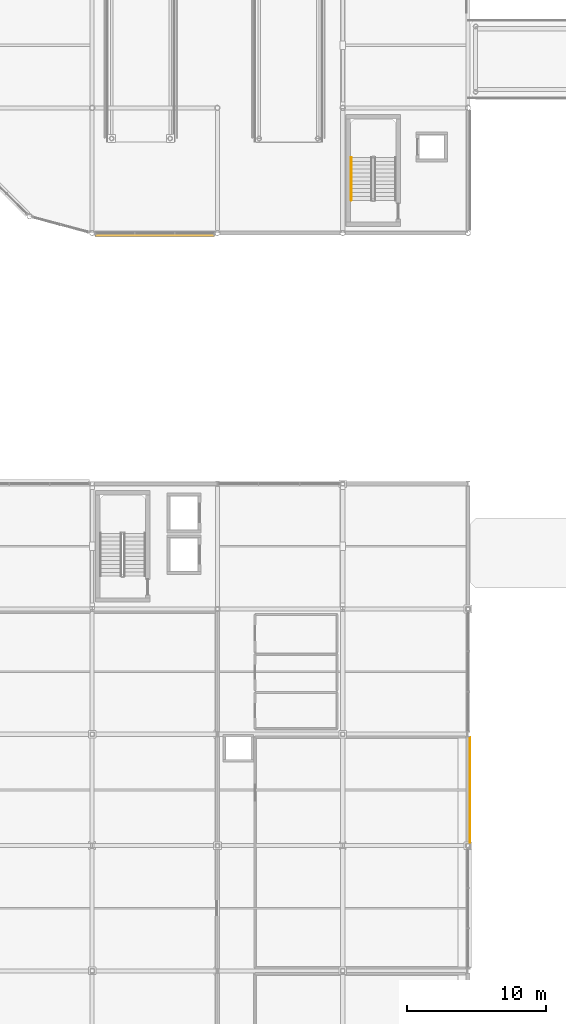
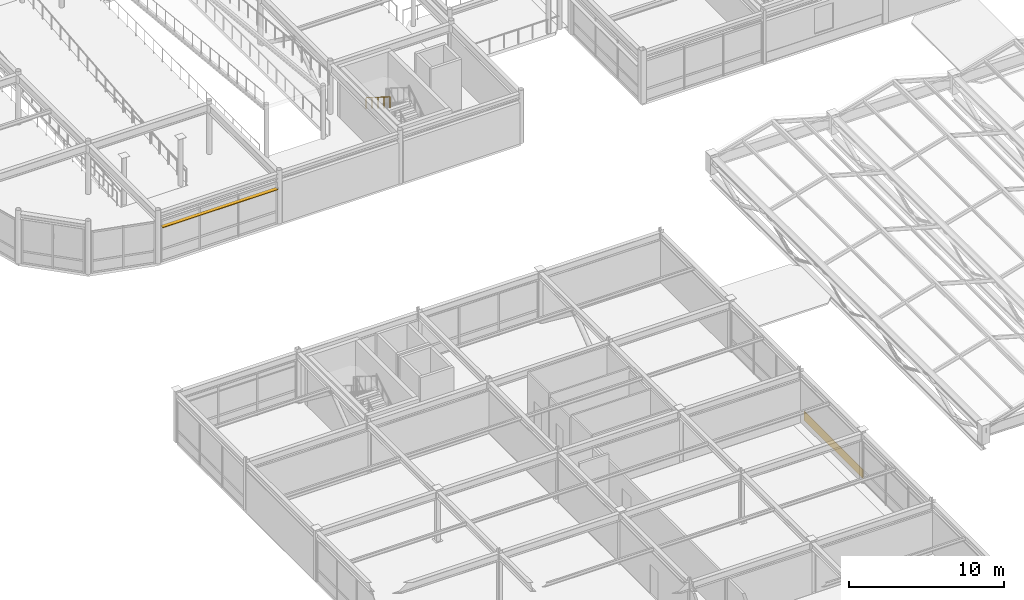
# One storey, part 95 of 108: 1 covering, 1 railing, 1 shading device.
"""IFC4 building model written with IfcOpenShell, lengths in metres."""

import ifcopenshell
import ifcopenshell.guid

model = None  # the IFC model being written
_history = None  # IfcOwnerHistory: only IFC2X3 demands one
_inside = {}  # id of a spatial element -> (the spatial element, [elements in it])
_under = {}  # id of a project, library or spatial element -> (it, [spatial elements below it])
_declared = {}  # id of a project -> (the project, [libraries it declares])
_typed = {}  # id of a type object -> (the type object, [elements of that type])
_made_of = {}  # id of a material, layer set ... -> (it, [elements and type objects made of it])


def new_model(schema):
    """Start an empty IFC model of exactly this schema.

    Asked for "IFC4X3", IfcOpenShell would pick the latest addendum, in which some entities
    have other attributes; the version numbers below select the first issue.
    IFC2X3 requires an IfcOwnerHistory on every rooted entity: one is made here for all.
    """
    global model, _history
    if schema == "IFC4X3":
        model = ifcopenshell.file(schema_version=(4, 3, 0, 0))
    else:
        model = ifcopenshell.file(schema=schema)
    _inside.clear()
    _under.clear()
    _declared.clear()
    _typed.clear()
    _made_of.clear()
    _history = None
    if model.schema == "IFC2X3":
        org = make("IfcOrganization", Name="unknown")
        user = make(
            "IfcPersonAndOrganization",
            ThePerson=make("IfcPerson", FamilyName="unknown"),
            TheOrganization=org,
        )
        app = make(
            "IfcApplication",
            ApplicationDeveloper=org,
            Version="unknown",
            ApplicationFullName="unknown",
            ApplicationIdentifier="unknown",
        )
        _history = make(
            "IfcOwnerHistory",
            OwningUser=user,
            OwningApplication=app,
            ChangeAction="ADDED",
            CreationDate=0,
        )
    return model


def make(cls, **values):
    """One entity of the class cls with the attributes given. An attribute that is None is left unset."""
    return model.create_entity(
        cls, **{name: value for name, value in values.items() if value is not None}
    )


def rooted(cls, **values):
    """An entity with a GlobalId (a new one), such as an element, a storey or a relation."""
    return make(cls, GlobalId=ifcopenshell.guid.new(), OwnerHistory=_history, **values)


def si_unit(unit_type, name, prefix=None):
    """IfcSIUnit, for example si_unit("LENGTHUNIT", "METRE", prefix="MILLI")."""
    return make("IfcSIUnit", UnitType=unit_type, Prefix=prefix, Name=name)


def assignment(units):
    """IfcUnitAssignment: the units of a project."""
    return None if units is None else make("IfcUnitAssignment", Units=units)


def point(xyz):
    """IfcCartesianPoint."""
    return None if xyz is None else make("IfcCartesianPoint", Coordinates=xyz)


def direction(xyz):
    """IfcDirection."""
    return None if xyz is None else make("IfcDirection", DirectionRatios=xyz)


def frame(location, z_axis=None, x_axis=None):
    """IfcAxis2Placement3D, a coordinate frame: its origin and axes. An axis left out is left unset."""
    return make(
        "IfcAxis2Placement3D",
        Location=point(location),
        Axis=direction(z_axis),
        RefDirection=direction(x_axis),
    )


def frame_2d(location, x_axis=None):
    """IfcAxis2Placement2D, a coordinate frame in the plane: its origin and x axis."""
    return make(
        "IfcAxis2Placement2D", Location=point(location), RefDirection=direction(x_axis)
    )


def origin():
    """The frame at (0, 0, 0) with its axes left unset."""
    return frame((0.0, 0.0, 0.0))


def origin_2d():
    """The frame at (0, 0) in the plane with its x axis left unset."""
    return frame_2d((0.0, 0.0))


def place(relative_to, where):
    """IfcLocalPlacement: puts the frame where relative to a parent placement (None: the world)."""
    return make(
        "IfcLocalPlacement", PlacementRelTo=relative_to, RelativePlacement=where
    )


def context(
    kind, dimensions, precision=None, world=None, true_north=None, identifier=None
):
    """IfcGeometricRepresentationContext, for example the 3D "Model" context."""
    return make(
        "IfcGeometricRepresentationContext",
        ContextIdentifier=identifier,
        ContextType=kind,
        CoordinateSpaceDimension=dimensions,
        Precision=precision,
        WorldCoordinateSystem=world,
        TrueNorth=true_north,
    )


def subcontext(parent, identifier, kind, view, scale=None):
    """IfcGeometricRepresentationSubContext, for example "Body" below "Model"."""
    return make(
        "IfcGeometricRepresentationSubContext",
        ContextIdentifier=identifier,
        ContextType=kind,
        ParentContext=parent,
        TargetScale=scale,
        TargetView=view,
    )


def project(units=None, contexts=None):
    """IfcProject with its units and contexts."""
    return rooted(
        "IfcProject",
        Name="project",
        RepresentationContexts=contexts,
        UnitsInContext=assignment(units),
    )


def spatial(cls, under=None, at=None, **own):
    """A site, building, storey or space (cls), placed at a placement, below another one or the project."""
    s = rooted(cls, ObjectPlacement=at, **own)
    if under is not None:
        _under.setdefault(under.id(), (under, []))[1].append(s)
    return s


def profile(cls, at=None, kind="AREA", **sizes):
    """A parametric profile (cls). Its sizes go by their IFC names, for example OverallWidth=200.0."""
    return make(cls, ProfileType=kind, Position=at, **sizes)


def rectangle(**sizes):
    """IfcRectangleProfileDef."""
    return profile("IfcRectangleProfileDef", **sizes)


def circle(**sizes):
    """IfcCircleProfileDef."""
    return profile("IfcCircleProfileDef", **sizes)


def extrude(swept, where, along, depth):
    """IfcExtrudedAreaSolid: the profile swept, set in the frame where, extruded along a direction by depth."""
    return make(
        "IfcExtrudedAreaSolid",
        SweptArea=swept,
        Position=where,
        ExtrudedDirection=direction(along),
        Depth=depth,
    )


def shape(context_of_items, identifier, shape_type, items):
    """IfcShapeRepresentation: the items that make up one representation, for example the "Body"."""
    return make(
        "IfcShapeRepresentation",
        ContextOfItems=context_of_items,
        RepresentationIdentifier=identifier,
        RepresentationType=shape_type,
        Items=items,
    )


def material(Name=None, Category=None):
    """IfcMaterial."""
    return make("IfcMaterial", Name=Name, Category=Category)


def layer(
    of_material, thickness, ventilated=None, Name=None, Category=None, Priority=None
):
    """IfcMaterialLayer: one layer of a wall or slab, of a material (None: an air gap)."""
    return make(
        "IfcMaterialLayer",
        Material=of_material,
        LayerThickness=thickness,
        IsVentilated=ventilated,
        Name=Name,
        Category=Category,
        Priority=Priority,
    )


def layer_set(layers, Name=None):
    """IfcMaterialLayerSet."""
    return make("IfcMaterialLayerSet", MaterialLayers=layers, LayerSetName=Name)


def material_profile(
    of_material, cross_section, Name=None, Category=None, Priority=None
):
    """IfcMaterialProfile: a cross section and its material."""
    return make(
        "IfcMaterialProfile",
        Name=Name,
        Material=of_material,
        Profile=cross_section,
        Priority=Priority,
        Category=Category,
    )


def profile_set(profiles, Name=None, composite=None):
    """IfcMaterialProfileSet."""
    return make(
        "IfcMaterialProfileSet",
        Name=Name,
        MaterialProfiles=profiles,
        CompositeProfile=composite,
    )


def made_of(thing, what):
    """Note that an element or type object is made of a material, layer set ...; save() writes the relation."""
    if what is not None:
        _made_of.setdefault(what.id(), (what, []))[1].append(thing)
    return thing


def type_object(cls, material=None, **own):
    """A type object (cls), such as IfcWallType, which elements share."""
    return made_of(rooted(cls, **own), material)


def element(
    cls,
    number,
    at=None,
    inside=None,
    cuts=None,
    type_object=None,
    material=None,
    context=None,
    identifier="Body",
    shape_type=None,
    held_by="IfcProductDefinitionShape",
    body=None,
    shapes=None,
    **own,
):
    """One element of the class cls, such as IfcWall. Its Tag is "e" and its number.

    at: its placement. inside: the storey or other place that contains it. cuts: it is an
    opening in that element (IfcRelVoidsElement). A single representation is given by context,
    identifier, shape_type and body (its items); several are given by shapes. held_by: the class
    of the entity that holds the representations. save() writes the other relations.
    """
    e = rooted(cls, Tag="e%d" % number, ObjectPlacement=at, **own)
    if body is not None:
        shapes = [shape(context, identifier, shape_type, body)]
    if shapes is not None:
        e.Representation = make(held_by, Representations=shapes)
    if inside is not None:
        _inside.setdefault(inside.id(), (inside, []))[1].append(e)
    if cuts is not None:
        rooted(
            "IfcRelVoidsElement", RelatingBuildingElement=cuts, RelatedOpeningElement=e
        )
    if type_object is not None:
        _typed.setdefault(type_object.id(), (type_object, []))[1].append(e)
    return made_of(e, material)


def aggregate(whole, parts):
    """IfcRelAggregates: a whole, such as a stair, and the parts it consists of."""
    return rooted("IfcRelAggregates", RelatingObject=whole, RelatedObjects=parts)


def save(model, path):
    """Write the relations noted so far, then the file.

    IfcRelAggregates (storeys below a building ...), IfcRelContainedInSpatialStructure (elements
    in a storey), IfcRelDefinesByType, IfcRelAssociatesMaterial and IfcRelDeclares: one each for
    every whole, place, type object, material and project.
    """
    for whole, parts in _under.values():
        aggregate(whole, parts)
    for where, things in _inside.values():
        rooted(
            "IfcRelContainedInSpatialStructure",
            RelatedElements=things,
            RelatingStructure=where,
        )
    for kind, things in _typed.values():
        rooted("IfcRelDefinesByType", RelatedObjects=things, RelatingType=kind)
    for what, things in _made_of.values():
        rooted("IfcRelAssociatesMaterial", RelatedObjects=things, RelatingMaterial=what)
    for by, libraries in _declared.values():
        rooted("IfcRelDeclares", RelatingContext=by, RelatedDefinitions=libraries)
    model.write(path)


model = new_model("IFC4")

# Units and contexts
model_context = context("Model", 3, precision=1e-05, world=origin(), true_north=direction((0.0, 1.0)))
body_context = subcontext(model_context, "Body", "Model", "MODEL_VIEW")
ifc_project = project(units=[si_unit("LENGTHUNIT", "METRE"), si_unit("AREAUNIT", "SQUARE_METRE"), si_unit("VOLUMEUNIT", "CUBIC_METRE"), si_unit("PLANEANGLEUNIT", "RADIAN"), si_unit("MASSUNIT", "GRAM", prefix="KILO")], contexts=[model_context])

# Site, building, storey
site_placement = place(None, origin())
site = spatial("IfcSite", under=ifc_project, at=site_placement, CompositionType="ELEMENT")
building_placement = place(site_placement, origin())
building = spatial("IfcBuilding", under=site, at=building_placement, Name="Suzunagisa Mobility Hub", CompositionType="ELEMENT")
storey_placement = place(building_placement, frame((0.0, 0.0, 9.300048828125)))
storey = spatial("IfcBuildingStorey", under=building, at=storey_placement, Name="L02", CompositionType="ELEMENT", Elevation=9.300048828125)

# Covering
ifc_material_1 = material(Name="Vitreous Porcelain Enamel Aluminum Cladding", Category="aluminium")
ifc_layer = layer(ifc_material_1, 0.034912109375)
ifc_layer_set = layer_set([ifc_layer], Name="Vitreous Porcelain Enamel Aluminum Cladding")
covering_type = type_object("IfcCoveringType", Name="Porcelain Enamel Spandrel Cladding Band CLD-01", PredefinedType="CLADDING", material=ifc_layer_set)
covering_placement = place(storey_placement, frame((36.1474609375, 39.989990234375, 0.06005859375), z_axis=(0.0, 0.0, 1.0), x_axis=(0.0, 1.0, 0.0)))
element("IfcCovering", 1, at=covering_placement, inside=storey, type_object=covering_type, Name="L02 Porcelain Spandrel Cladding Band CLD-5", PredefinedType="CLADDING", context=body_context, shape_type="SweptSolid", body=[
    extrude(rectangle(XDim=7.580078125, YDim=0.034912109375, at=origin_2d()), origin(), (0.0, 0.0, 1.0), 0.719970703125),
])

# Shading device
ifc_material_2 = material(Name="Fluoropolymer-Coated Extruded Aluminum 6063-T5", Category="aluminium")
ifc_material_profile = material_profile(ifc_material_2, rectangle(XDim=0.280029296875, YDim=0.044921875, at=origin_2d()), Name="FIN-280x45")
ifc_profile_set = profile_set([ifc_material_profile], Name="Fluoropolymer-Coated Extruded Aluminum 6063-T5")
shading_device_type = type_object("IfcShadingDeviceType", Name="Streamline Aluminum Sunshade SF-02 FIN-280x45", PredefinedType="JALOUSIE", material=ifc_profile_set)
shading_device_placement = place(storey_placement, frame((9.207763671875, 79.892578125, 2.800048828125), z_axis=(1.0, 0.0, 0.0), x_axis=(0.0, 1.0, 0.0)))
element("IfcShadingDevice", 2, at=shading_device_placement, inside=storey, type_object=shading_device_type, Name="L02 Streamline Speed-Rail Sunshade Fin SF-14", PredefinedType="JALOUSIE", context=body_context, shape_type="SweptSolid", body=[
    extrude(rectangle(XDim=0.280029296875, YDim=0.044921875, at=origin_2d()), origin(), (0.0, 0.0, 1.0), 8.58447265625),
])

# Railing
ifc_material_3 = material(Name="Stainless Steel SUS304", Category="metal")
railing_type = type_object("IfcRailingType", Name="Tubular Stainless Stair Handrail IHR-01", PredefinedType="HANDRAIL", material=ifc_material_3)
railing_placement = place(storey_placement, frame((27.610107421875, 85.43994140625, 2.27490234375)))
element("IfcRailing", 3, at=railing_placement, inside=storey, type_object=railing_type, Name="L02 ST-05 stair handrail 2", PredefinedType="HANDRAIL", context=body_context, shape_type="SweptSolid", body=[
    extrude(circle(Radius=0.02392578125, at=origin_2d()), frame((0.0, 0.0, 0.8759765625), z_axis=(0.0, -0.847979421464, 0.530029150871), x_axis=(1.0, 0.0, 0.0)), (0.0, 0.0, 1.0), 3.632080078125),
    extrude(circle(Radius=0.02099609375, at=origin_2d()), origin(), (0.0, 0.0, 1.0), 0.851806640625),
    extrude(circle(Radius=0.02099609375, at=origin_2d()), frame((0.0, -0.77001953125, 0.481201171875)), (0.0, 0.0, 1.0), 0.851806640625),
    extrude(circle(Radius=0.02099609375, at=origin_2d()), frame((0.0, -1.5400390625, 0.96240234375)), (0.0, 0.0, 1.0), 0.851806640625),
    extrude(circle(Radius=0.02099609375, at=origin_2d()), frame((0.0, -2.309814453125, 1.44384765625)), (0.0, 0.0, 1.0), 0.851806640625),
    extrude(circle(Radius=0.02099609375, at=origin_2d()), frame((0.0, -3.079833984375, 1.925048828125)), (0.0, 0.0, 1.0), 0.851806640625),
])

save(model, "model.ifc")
